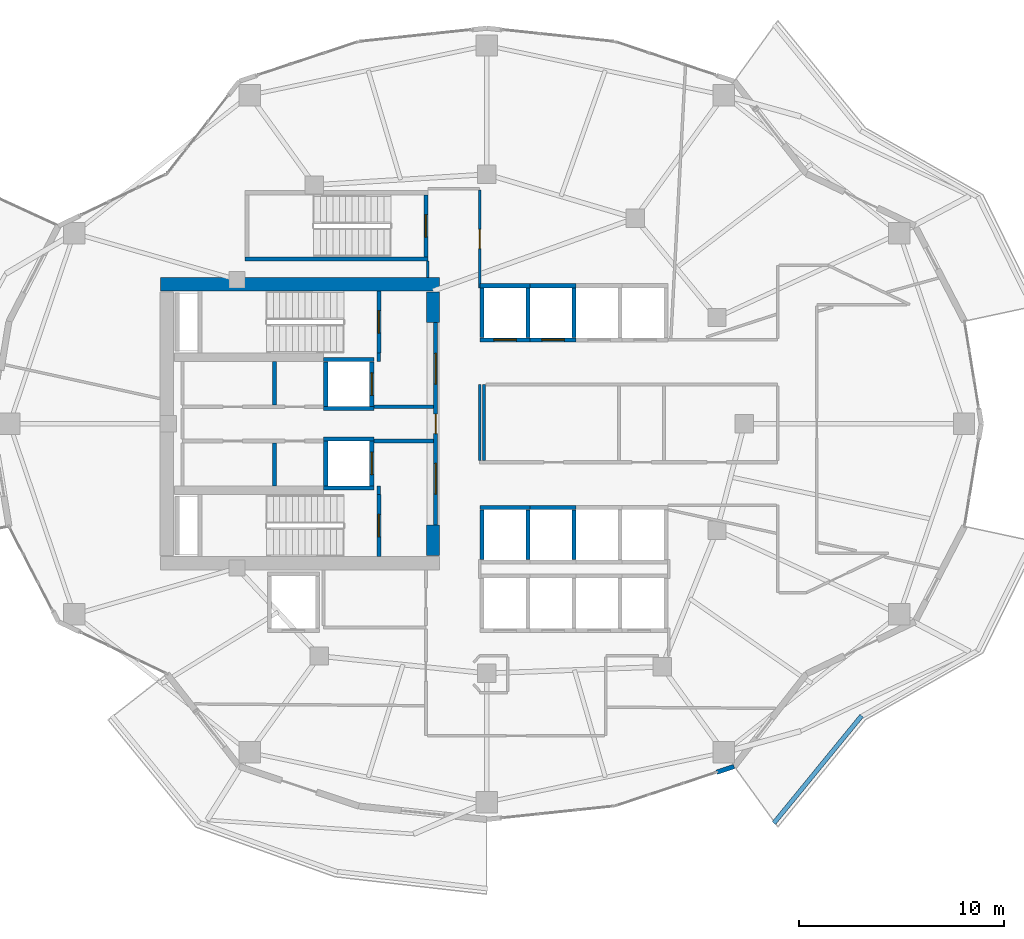
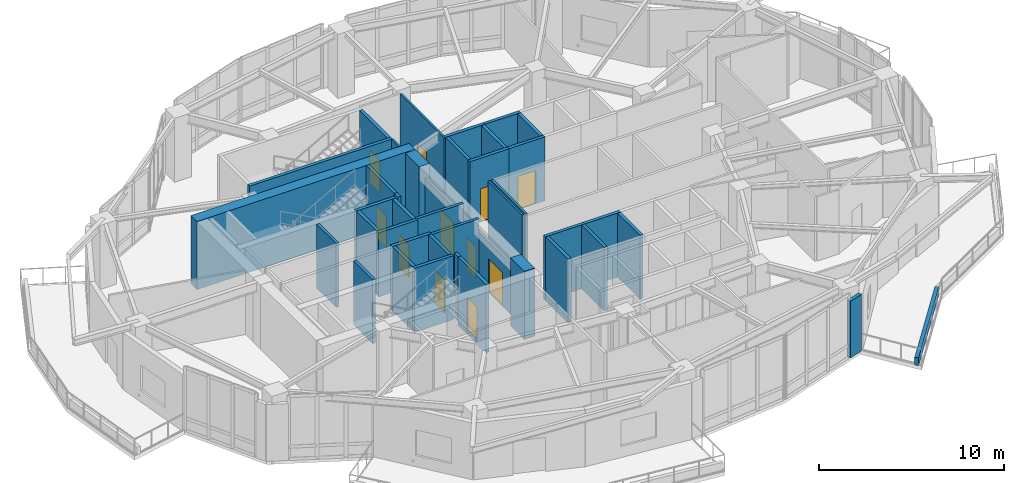
# One storey, part 11 of 16: 40 walls, 11 doors, 11 openings.
"""IFC4 building model written with IfcOpenShell, lengths in metres."""

from ifc_helpers import new_model, si_unit, direction, frame, frame_2d, origin, place, context, subcontext, project, spatial, rectangle, extrude, material, layer, layer_set, type_object, element, fill, save


model = new_model("IFC4")

# Units and contexts
model_context = context("Model", 3, precision=1e-05, world=origin(), true_north=direction((0.0, 1.0)))
body_context = subcontext(model_context, "Body", "Model", "MODEL_VIEW")
ifc_project = project(units=[si_unit("LENGTHUNIT", "METRE"), si_unit("AREAUNIT", "SQUARE_METRE"), si_unit("VOLUMEUNIT", "CUBIC_METRE"), si_unit("PLANEANGLEUNIT", "RADIAN"), si_unit("MASSUNIT", "GRAM", prefix="KILO")], contexts=[model_context])

# Site, building, storey
site_placement = place(None, origin())
site = spatial("IfcSite", under=ifc_project, at=site_placement, CompositionType="ELEMENT")
building_placement = place(site_placement, origin())
building = spatial("IfcBuilding", under=site, at=building_placement, Name="Kolvaren Gate Tower and Convention Centre", CompositionType="ELEMENT")
storey_placement = place(building_placement, frame((0.0, 0.0, 100.800048828125)))
storey = spatial("IfcBuildingStorey", under=building, at=storey_placement, Name="L24", CompositionType="ELEMENT", Elevation=100.800048828125)

# Walls
ifc_material_1 = material(Name="Autoclaved Aerated Masonry Blockwork Class 4 (4.0 MPa)", Category="masonry")
ifc_layer_1 = layer(ifc_material_1, 0.179931640625)
ifc_layer_set_1 = layer_set([ifc_layer_1], Name="Autoclaved Aerated Masonry Blockwork Class 4 (4.0 MPa)")
wall_type_1 = type_object("IfcWallType", Name="ARCH-WL-COMP-180", PredefinedType="SOLIDWALL", material=ifc_layer_set_1)
for number, where, z_axis, x_axis, name in (
    (1, (24.85009765625, 23.5400390625, 0.0), (0.0, 0.0, 1.0), (0.0, 1.0, 0.0), "Interior Partition WL-L24-INT-001"),
    (2, (24.85009765625, 30.0400390625, 0.0), (0.0, 0.0, 1.0), (0.0, 1.0, 0.0), "Interior Partition WL-L24-INT-002"),
):
    element("IfcWall", number, at=place(storey_placement, frame(where, z_axis=z_axis, x_axis=x_axis)), inside=storey, type_object=wall_type_1, Name=name, PredefinedType="SOLIDWALL", context=body_context, shape_type="SweptSolid", body=[
        extrude(rectangle(XDim=0.419921875, YDim=0.179931640625, at=frame_2d((0.2099609375, 0.0))), origin(), (0.0, 0.0, 1.0), 4.22998046875),
    ])

# Wall, openings, doors
wall_1_placement = place(storey_placement, frame((27.6201171875, 22.050048828125, 0.0), z_axis=(0.0, 0.0, 1.0), x_axis=(0.0, 1.0, 0.0)))
wall_1 = element("IfcWall", 3, at=wall_1_placement, inside=storey, type_object=wall_type_1, Name="Interior Partition WL-L24-INT-003", PredefinedType="SOLIDWALL", context=body_context, shape_type="SweptSolid", body=[
    extrude(rectangle(XDim=9.89990234375, YDim=0.179931640625, at=frame_2d((4.949951171875, 0.0))), origin(), (0.0, 0.0, 1.0), 3.322021484375),
])
opening_1_placement = place(wall_1_placement, frame((4.47509765625, 0.0, 0.0)))
opening_1 = element("IfcOpeningElement", 4, at=opening_1_placement, cuts=wall_1, Name="Opening DR-01", PredefinedType="OPENING", context=body_context, shape_type="SweptSolid", body=[
    extrude(rectangle(XDim=0.949951171875, YDim=2.10009765625, at=frame_2d((0.47509765625, 1.050048828125))), frame((0.0, 0.099853515625, 0.0), z_axis=(0.0, -1.0, 0.0), x_axis=(1.0, 0.0, 0.0)), (0.0, 0.0, 1.0), 0.199951171875),
])
opening_2_placement = place(wall_1_placement, frame((6.889892578125, 0.0, 0.0)))
opening_2 = element("IfcOpeningElement", 5, at=opening_2_placement, cuts=wall_1, Name="Opening DL-01", PredefinedType="OPENING", context=body_context, shape_type="SweptSolid", body=[
    extrude(rectangle(XDim=1.5, YDim=2.199951171875, at=frame_2d((0.75, 1.10009765625))), frame((0.0, 0.099853515625, 0.0), z_axis=(0.0, -1.0, 0.0), x_axis=(1.0, 0.0, 0.0)), (0.0, 0.0, 1.0), 0.199951171875),
])
opening_3_placement = place(wall_1_placement, frame((1.510009765625, 0.0, 0.0)))
opening_3 = element("IfcOpeningElement", 6, at=opening_3_placement, cuts=wall_1, Name="Opening DL-01", PredefinedType="OPENING", context=body_context, shape_type="SweptSolid", body=[
    extrude(rectangle(XDim=1.5, YDim=2.199951171875, at=frame_2d((0.75, 1.10009765625))), frame((0.0, 0.099853515625, 0.0), z_axis=(0.0, -1.0, 0.0), x_axis=(1.0, 0.0, 0.0)), (0.0, 0.0, 1.0), 0.199951171875),
])
ifc_material_2 = material(Name="Painted Architectural Steelwork ASTM A500 Grade C 345 MPa", Category="steel")
door_type_1 = type_object("IfcDoorType", Name="ARCH-DR-LOBBY-1500", OperationType="DOUBLE_DOOR_SINGLE_SWING", PredefinedType="DOOR", material=ifc_material_2)
door_1_placement = place(opening_2_placement, origin())
door_1 = element("IfcDoor", 7, at=door_1_placement, inside=storey, type_object=door_type_1, Name="North Firefighting Stair and Lift Lobby Door", OperationType="DOUBLE_DOOR_SINGLE_SWING", OverallHeight=2.199951171875, OverallWidth=1.5, PredefinedType="DOOR", context=body_context, shape_type="SweptSolid", body=[
    extrude(rectangle(XDim=1.5, YDim=2.199951171875, at=frame_2d((0.75, 1.10009765625))), frame((0.0, 0.02490234375, 0.0), z_axis=(0.0, -1.0, 0.0), x_axis=(1.0, 0.0, 0.0)), (0.0, 0.0, 1.0), 0.050048828125),
])
fill(opening_2, door_1)
door_2_placement = place(opening_3_placement, origin())
door_2 = element("IfcDoor", 8, at=door_2_placement, inside=storey, type_object=door_type_1, Name="South Firefighting Stair and Lift Lobby Door", OperationType="DOUBLE_DOOR_SINGLE_SWING", OverallHeight=2.199951171875, OverallWidth=1.5, PredefinedType="DOOR", context=body_context, shape_type="SweptSolid", body=[
    extrude(rectangle(XDim=1.5, YDim=2.199951171875, at=frame_2d((0.75, 1.10009765625))), frame((0.0, 0.02490234375, 0.0), z_axis=(0.0, -1.0, 0.0), x_axis=(1.0, 0.0, 0.0)), (0.0, 0.0, 1.0), 0.050048828125),
])
fill(opening_3, door_2)
door_type_2 = type_object("IfcDoorType", Name="ARCH-DR-RISER-950", OperationType="SINGLE_SWING_RIGHT", PredefinedType="DOOR", material=ifc_material_2)
door_3_placement = place(opening_1_placement, origin())
door_3 = element("IfcDoor", 9, at=door_3_placement, inside=storey, type_object=door_type_2, Name="Central MEP Service Corridor Door", OperationType="SINGLE_SWING_LEFT", OverallHeight=2.10009765625, OverallWidth=0.949951171875, PredefinedType="DOOR", context=body_context, shape_type="SweptSolid", body=[
    extrude(rectangle(XDim=0.949951171875, YDim=2.10009765625, at=frame_2d((0.47509765625, 1.050048828125))), frame((0.0, 0.02490234375, 0.0), z_axis=(0.0, -1.0, 0.0), x_axis=(1.0, 0.0, 0.0)), (0.0, 0.0, 1.0), 0.050048828125),
])
fill(opening_1, door_3)

# Walls
for number, where, z_axis, x_axis, name in (
    (10, (24.60009765625, 27.840087890625, 0.0), (0.0, 0.0, 1.0), (1.0, 0.0, 0.0), "Interior Partition WL-L24-INT-004 (2)"),
    (11, (24.60009765625, 26.159912109375, 0.0), (0.0, 0.0, 1.0), (1.0, 0.0, 0.0), "Interior Partition WL-L24-INT-005 (2)"),
):
    element("IfcWall", number, at=place(storey_placement, frame(where, z_axis=z_axis, x_axis=x_axis)), inside=storey, type_object=wall_type_1, Name=name, PredefinedType="SOLIDWALL", context=body_context, shape_type="SweptSolid", body=[
        extrude(rectangle(XDim=2.927978515625, YDim=0.179931640625, at=frame_2d((1.4638671875, 0.0))), origin(), (0.0, 0.0, 1.0), 4.22998046875),
    ])
for number, where, z_axis, x_axis, name in (
    (12, (19.75, 23.9619140625, 0.0), (0.0, 0.0, 1.0), (0.0, 1.0, 0.0), "Interior Partition WL-L24-INT-007"),
    (13, (19.75, 27.931884765625, 0.0), (0.0, 0.0, 1.0), (0.0, 1.0, 0.0), "Interior Partition WL-L24-INT-008"),
):
    element("IfcWall", number, at=place(storey_placement, frame(where, z_axis=z_axis, x_axis=x_axis)), inside=storey, type_object=wall_type_1, Name=name, PredefinedType="SOLIDWALL", context=body_context, shape_type="SweptSolid", body=[
        extrude(rectangle(XDim=2.106201171875, YDim=0.179931640625, at=frame_2d((1.05322265625, 0.0))), origin(), (0.0, 0.0, 1.0), 4.22998046875),
    ])
ifc_material_3 = material(Name="Fire-Rated Acoustic Gypsum Stud Partition", Category="gypsum")
ifc_layer_2 = layer(ifc_material_3, 0.1201171875)
ifc_layer_set_2 = layer_set([ifc_layer_2], Name="Fire-Rated Acoustic Gypsum Stud Partition")
wall_type_2 = type_object("IfcWallType", Name="ARCH-WL-PART-120", PredefinedType="PARTITIONING", material=ifc_layer_set_2)
wall_2_placement = place(storey_placement, frame((27.25, 34.152099609375, 0.0), z_axis=(0.0, 0.0, 1.0), x_axis=(0.0, 1.0, 0.0)))
element("IfcWall", 14, at=wall_2_placement, inside=storey, type_object=wall_type_2, Name="Interior Partition WL-L24-INT-021", PredefinedType="PARTITIONING", context=body_context, shape_type="SweptSolid", body=[
    extrude(rectangle(XDim=0.805908203125, YDim=0.1201171875, at=frame_2d((0.40283203125, 0.0))), origin(), (0.0, 0.0, 1.0), 4.22998046875),
])
wall_3_placement = place(storey_placement, frame((29.780029296875, 25.197021484375, 0.0), z_axis=(0.0, 0.0, 1.0), x_axis=(0.0, 1.0, 0.0)))
element("IfcWall", 15, at=wall_3_placement, inside=storey, type_object=wall_type_2, Name="Interior Partition WL-L24-INT-024", PredefinedType="PARTITIONING", context=body_context, shape_type="SweptSolid", body=[
    extrude(rectangle(XDim=3.722900390625, YDim=0.1201171875, at=frame_2d((1.861328125, 0.0))), origin(), (0.0, 0.0, 1.0), 4.22998046875),
])

# Wall, opening, door
wall_4_placement = place(storey_placement, frame((29.780029296875, 33.639892578125, 0.0), z_axis=(0.0, 0.0, 1.0), x_axis=(0.0, 1.0, 0.0)))
wall_4 = element("IfcWall", 16, at=wall_4_placement, inside=storey, type_object=wall_type_2, Name="Interior Partition WL-L24-INT-025", PredefinedType="PARTITIONING", context=body_context, shape_type="SweptSolid", body=[
    extrude(rectangle(XDim=4.798095703125, YDim=0.1201171875, at=frame_2d((2.39892578125, 0.0))), origin(), (0.0, 0.0, 1.0), 4.22998046875),
])
opening_4_placement = place(wall_4_placement, frame((1.924072265625, 0.0, 0.0)))
opening_4 = element("IfcOpeningElement", 17, at=opening_4_placement, cuts=wall_4, Name="Opening DR-01", PredefinedType="OPENING", context=body_context, shape_type="SweptSolid", body=[
    extrude(rectangle(XDim=0.949951171875, YDim=2.10009765625, at=frame_2d((0.47509765625, 1.050048828125))), frame((0.0, 0.070068359375, 0.0), z_axis=(0.0, -1.0, 0.0), x_axis=(1.0, 0.0, 0.0)), (0.0, 0.0, 1.0), 0.14013671875),
])
door_4_placement = place(opening_4_placement, origin())
door_4 = element("IfcDoor", 18, at=door_4_placement, inside=storey, type_object=door_type_2, Name="Sky Lobby Lounge and Bistro Cafe Door", OperationType="SINGLE_SWING_LEFT", OverallHeight=2.10009765625, OverallWidth=0.949951171875, PredefinedType="DOOR", context=body_context, shape_type="SweptSolid", body=[
    extrude(rectangle(XDim=0.949951171875, YDim=2.10009765625, at=frame_2d((0.47509765625, 1.050048828125))), frame((0.0, 0.02490234375, 0.0), z_axis=(0.0, -1.0, 0.0), x_axis=(1.0, 0.0, 0.0)), (0.0, 0.0, 1.0), 0.050048828125),
])
fill(opening_4, door_4)

# Walls
ifc_material_4 = material(Name="Bogota Sabana Bush-Hammered Sandstone Cladding", Category="masonry")
ifc_layer_3 = layer(ifc_material_4, 0.219970703125)
ifc_layer_set_3 = layer_set([ifc_layer_3], Name="Bogota Sabana Bush-Hammered Sandstone Cladding")
wall_type_3 = type_object("IfcWallType", Name="ARCH-WL-PIER-220", PredefinedType="SOLIDWALL", material=ifc_layer_set_3)
wall_5_placement = place(storey_placement, frame((41.36865234375, 9.960693359375, 0.0), z_axis=(0.0, 0.0, 1.0), x_axis=(0.949227107477, 0.314591637573, 0.0)))
element("IfcWall", 19, at=wall_5_placement, inside=storey, type_object=wall_type_3, Name="L24 Panoramic Structural Curtain Wall CW-19 Right Column Pier Wrap", PredefinedType="SOLIDWALL", context=body_context, shape_type="SweptSolid", body=[
    extrude(rectangle(XDim=0.8955078125, YDim=0.219970703125, at=frame_2d((0.44775390625, 0.0))), origin(), (0.0, 0.0, 1.0), 3.7529296875),
])
ifc_material_5 = material(Name="Piedmont Cream Honed Limestone Cladding", Category="masonry")
ifc_layer_4 = layer(ifc_material_5, 0.219970703125)
ifc_layer_set_4 = layer_set([ifc_layer_4], Name="Piedmont Cream Honed Limestone Cladding")
wall_type_4 = type_object("IfcWallType", Name="ARCH-WL-PLANTER-220", PredefinedType="PARAPET", material=ifc_layer_set_4)
wall_6_placement = place(storey_placement, frame((44.1669921875, 7.476806640625, 0.0), z_axis=(0.0, 0.0, 1.0), x_axis=(0.633002467947, 0.77414977593, 0.0)))
element("IfcWall", 20, at=wall_6_placement, inside=storey, type_object=wall_type_4, Name="Vertical-Forest Balcony Stone Planter Kerb PK-L24-4.1", PredefinedType="PARAPET", context=body_context, shape_type="SweptSolid", body=[
    extrude(rectangle(XDim=6.7802734375, YDim=0.219970703125, at=frame_2d((3.39013671875, 0.0))), origin(), (0.0, 0.0, 1.0), 0.52001953125),
])
ifc_layer_5 = layer(ifc_material_1, 0.199951171875)
ifc_layer_set_5 = layer_set([ifc_layer_5], Name="Autoclaved Aerated Masonry Blockwork Class 4 (4.0 MPa)")
wall_type_5 = type_object("IfcWallType", Name="ARCH-WL-SHAFT-200", PredefinedType="SOLIDWALL", material=ifc_layer_set_5)
for number, where, z_axis, x_axis, name in (
    (21, (22.14990234375, 30.139892578125, 0.0), (0.0, 0.0, 1.0), (1.0, 0.0, 0.0), "Elevator FF-01 L24 Fire Shaft Wall N"),
    (22, (22.14990234375, 27.739990234375, 0.0), (0.0, 0.0, 1.0), (1.0, 0.0, 0.0), "Elevator FF-01 L24 Fire Shaft Wall S"),
):
    element("IfcWall", number, at=place(storey_placement, frame(where, z_axis=z_axis, x_axis=x_axis)), inside=storey, type_object=wall_type_5, Name=name, PredefinedType="SOLIDWALL", context=body_context, shape_type="SweptSolid", body=[
        extrude(rectangle(XDim=2.4501953125, YDim=0.199951171875, at=frame_2d((1.22509765625, 0.0))), origin(), (0.0, 0.0, 1.0), 4.22998046875),
    ])
wall_7_placement = place(storey_placement, frame((22.25, 27.85009765625, 0.0), z_axis=(0.0, 0.0, 1.0), x_axis=(0.0, 1.0, 0.0)))
element("IfcWall", 23, at=wall_7_placement, inside=storey, type_object=wall_type_5, Name="Elevator FF-01 L24 Fire Shaft Wall W", PredefinedType="SOLIDWALL", context=body_context, shape_type="SweptSolid", body=[
    extrude(rectangle(XDim=2.179931640625, YDim=0.199951171875, at=frame_2d((1.08984375, 0.0))), origin(), (0.0, 0.0, 1.0), 4.22998046875),
])

# Wall, opening, door
wall_8_placement = place(storey_placement, frame((24.5, 27.85009765625, 0.0), z_axis=(0.0, 0.0, 1.0), x_axis=(0.0, 1.0, 0.0)))
wall_8 = element("IfcWall", 24, at=wall_8_placement, inside=storey, type_object=wall_type_5, Name="Elevator FF-01 L24 Fire Shaft Wall E", PredefinedType="SOLIDWALL", context=body_context, shape_type="SweptSolid", body=[
    extrude(rectangle(XDim=2.179931640625, YDim=0.199951171875, at=frame_2d((1.08984375, 0.0))), origin(), (0.0, 0.0, 1.0), 4.22998046875),
])
opening_5_placement = place(wall_8_placement, frame((0.5400390625, 0.0, 0.0)))
opening_5 = element("IfcOpeningElement", 25, at=opening_5_placement, cuts=wall_8, Name="Opening LD", PredefinedType="OPENING", context=body_context, shape_type="SweptSolid", body=[
    extrude(rectangle(XDim=1.10009765625, YDim=2.199951171875, at=frame_2d((0.550048828125, 1.10009765625))), frame((0.0, 0.10986328125, 0.0), z_axis=(0.0, -1.0, 0.0), x_axis=(1.0, 0.0, 0.0)), (0.0, 0.0, 1.0), 0.219970703125),
])
ifc_material_6 = material(Name="Brushed Stainless Steel Grade 316L", Category="steel")
door_type_3 = type_object("IfcDoorType", Name="ARCH-DR-LIFT-1100", OperationType="SLIDING_TO_LEFT", PredefinedType="DOOR", material=ifc_material_6)
door_5_placement = place(opening_5_placement, origin())
door_5 = element("IfcDoor", 26, at=door_5_placement, inside=storey, type_object=door_type_3, Name="Elevator FF-01 L24 Sliding Landing Door", OperationType="SLIDING_TO_LEFT", OverallHeight=2.199951171875, OverallWidth=1.10009765625, PredefinedType="DOOR", context=body_context, shape_type="SweptSolid", body=[
    extrude(rectangle(XDim=1.10009765625, YDim=2.199951171875, at=frame_2d((0.550048828125, 1.10009765625))), frame((0.0, 0.02490234375, 0.0), z_axis=(0.0, -1.0, 0.0), x_axis=(1.0, 0.0, 0.0)), (0.0, 0.0, 1.0), 0.050048828125),
])
fill(opening_5, door_5)

# Walls
for number, where, z_axis, x_axis, name in (
    (27, (22.14990234375, 26.260009765625, 0.0), (0.0, 0.0, 1.0), (1.0, 0.0, 0.0), "Elevator FF-02 L24 Fire Shaft Wall N"),
    (28, (22.14990234375, 23.860107421875, 0.0), (0.0, 0.0, 1.0), (1.0, 0.0, 0.0), "Elevator FF-02 L24 Fire Shaft Wall S"),
):
    element("IfcWall", number, at=place(storey_placement, frame(where, z_axis=z_axis, x_axis=x_axis)), inside=storey, type_object=wall_type_5, Name=name, PredefinedType="SOLIDWALL", context=body_context, shape_type="SweptSolid", body=[
        extrude(rectangle(XDim=2.4501953125, YDim=0.199951171875, at=frame_2d((1.22509765625, 0.0))), origin(), (0.0, 0.0, 1.0), 4.22998046875),
    ])
wall_9_placement = place(storey_placement, frame((22.25, 23.969970703125, 0.0), z_axis=(0.0, 0.0, 1.0), x_axis=(0.0, 1.0, 0.0)))
element("IfcWall", 29, at=wall_9_placement, inside=storey, type_object=wall_type_5, Name="Elevator FF-02 L24 Fire Shaft Wall W", PredefinedType="SOLIDWALL", context=body_context, shape_type="SweptSolid", body=[
    extrude(rectangle(XDim=2.179931640625, YDim=0.199951171875, at=frame_2d((1.08984375, 0.0))), origin(), (0.0, 0.0, 1.0), 4.22998046875),
])

# Wall, opening, door
wall_10_placement = place(storey_placement, frame((24.5, 23.969970703125, 0.0), z_axis=(0.0, 0.0, 1.0), x_axis=(0.0, 1.0, 0.0)))
wall_10 = element("IfcWall", 30, at=wall_10_placement, inside=storey, type_object=wall_type_5, Name="Elevator FF-02 L24 Fire Shaft Wall E", PredefinedType="SOLIDWALL", context=body_context, shape_type="SweptSolid", body=[
    extrude(rectangle(XDim=2.179931640625, YDim=0.199951171875, at=frame_2d((1.08984375, 0.0))), origin(), (0.0, 0.0, 1.0), 4.22998046875),
])
opening_6_placement = place(wall_10_placement, frame((0.5400390625, 0.0, 0.0)))
opening_6 = element("IfcOpeningElement", 31, at=opening_6_placement, cuts=wall_10, Name="Opening LD", PredefinedType="OPENING", context=body_context, shape_type="SweptSolid", body=[
    extrude(rectangle(XDim=1.10009765625, YDim=2.199951171875, at=frame_2d((0.550048828125, 1.10009765625))), frame((0.0, 0.10986328125, 0.0), z_axis=(0.0, -1.0, 0.0), x_axis=(1.0, 0.0, 0.0)), (0.0, 0.0, 1.0), 0.219970703125),
])
door_6_placement = place(opening_6_placement, origin())
door_6 = element("IfcDoor", 32, at=door_6_placement, inside=storey, type_object=door_type_3, Name="Elevator FF-02 L24 Sliding Landing Door", OperationType="SLIDING_TO_LEFT", OverallHeight=2.199951171875, OverallWidth=1.10009765625, PredefinedType="DOOR", context=body_context, shape_type="SweptSolid", body=[
    extrude(rectangle(XDim=1.10009765625, YDim=2.199951171875, at=frame_2d((0.550048828125, 1.10009765625))), frame((0.0, 0.02490234375, 0.0), z_axis=(0.0, -1.0, 0.0), x_axis=(1.0, 0.0, 0.0)), (0.0, 0.0, 1.0), 0.050048828125),
])
fill(opening_6, door_6)

# Wall
wall_11_placement = place(storey_placement, frame((29.800048828125, 33.75, 0.0), z_axis=(0.0, 0.0, 1.0), x_axis=(1.0, 0.0, 0.0)))
element("IfcWall", 33, at=wall_11_placement, inside=storey, type_object=wall_type_5, Name="Elevator PL-01 L24 Fire Shaft Wall N", PredefinedType="SOLIDWALL", context=body_context, shape_type="SweptSolid", body=[
    extrude(rectangle(XDim=2.449951171875, YDim=0.199951171875, at=frame_2d((1.22509765625, 0.0))), origin(), (0.0, 0.0, 1.0), 4.22998046875),
])

# Wall, opening, door
wall_12_placement = place(storey_placement, frame((29.800048828125, 31.10009765625, 0.0), z_axis=(0.0, 0.0, 1.0), x_axis=(1.0, 0.0, 0.0)))
wall_12 = element("IfcWall", 34, at=wall_12_placement, inside=storey, type_object=wall_type_5, Name="Elevator PL-01 L24 Fire Shaft Wall S", PredefinedType="SOLIDWALL", context=body_context, shape_type="SweptSolid", body=[
    extrude(rectangle(XDim=2.449951171875, YDim=0.199951171875, at=frame_2d((1.22509765625, 0.0))), origin(), (0.0, 0.0, 1.0), 4.22998046875),
])
opening_7_placement = place(wall_12_placement, frame((0.675048828125, 0.0, 0.0)))
opening_7 = element("IfcOpeningElement", 35, at=opening_7_placement, cuts=wall_12, Name="Opening LD", PredefinedType="OPENING", context=body_context, shape_type="SweptSolid", body=[
    extrude(rectangle(XDim=1.10009765625, YDim=2.199951171875, at=frame_2d((0.550048828125, 1.10009765625))), frame((0.0, 0.10986328125, 0.0), z_axis=(0.0, -1.0, 0.0), x_axis=(1.0, 0.0, 0.0)), (0.0, 0.0, 1.0), 0.219970703125),
])
door_7_placement = place(opening_7_placement, origin())
door_7 = element("IfcDoor", 36, at=door_7_placement, inside=storey, type_object=door_type_3, Name="Elevator PL-01 L24 Sliding Landing Door", OperationType="SLIDING_TO_LEFT", OverallHeight=2.199951171875, OverallWidth=1.10009765625, PredefinedType="DOOR", context=body_context, shape_type="SweptSolid", body=[
    extrude(rectangle(XDim=1.10009765625, YDim=2.199951171875, at=frame_2d((0.550048828125, 1.10009765625))), frame((0.0, 0.02490234375, 0.0), z_axis=(0.0, -1.0, 0.0), x_axis=(1.0, 0.0, 0.0)), (0.0, 0.0, 1.0), 0.050048828125),
])
fill(opening_7, door_7)

# Walls
for number, where, z_axis, x_axis, name in (
    (37, (29.89990234375, 31.2099609375, 0.0), (0.0, 0.0, 1.0), (0.0, 1.0, 0.0), "Elevator PL-01 L24 Fire Shaft Wall W"),
    (38, (32.14990234375, 31.2099609375, 0.0), (0.0, 0.0, 1.0), (0.0, 1.0, 0.0), "Elevator PL-01 L24 Fire Shaft Wall E"),
):
    element("IfcWall", number, at=place(storey_placement, frame(where, z_axis=z_axis, x_axis=x_axis)), inside=storey, type_object=wall_type_5, Name=name, PredefinedType="SOLIDWALL", context=body_context, shape_type="SweptSolid", body=[
        extrude(rectangle(XDim=2.429931640625, YDim=0.199951171875, at=frame_2d((1.21484375, 0.0))), origin(), (0.0, 0.0, 1.0), 4.22998046875),
    ])
wall_13_placement = place(storey_placement, frame((32.25, 33.75, 0.0), z_axis=(0.0, 0.0, 1.0), x_axis=(1.0, 0.0, 0.0)))
element("IfcWall", 39, at=wall_13_placement, inside=storey, type_object=wall_type_5, Name="Elevator PL-02 L24 Fire Shaft Wall N", PredefinedType="SOLIDWALL", context=body_context, shape_type="SweptSolid", body=[
    extrude(rectangle(XDim=2.25, YDim=0.199951171875, at=frame_2d((1.125, 0.0))), origin(), (0.0, 0.0, 1.0), 4.22998046875),
])

# Wall, opening, door
wall_14_placement = place(storey_placement, frame((32.25, 31.10009765625, 0.0), z_axis=(0.0, 0.0, 1.0), x_axis=(1.0, 0.0, 0.0)))
wall_14 = element("IfcWall", 40, at=wall_14_placement, inside=storey, type_object=wall_type_5, Name="Elevator PL-02 L24 Fire Shaft Wall S", PredefinedType="SOLIDWALL", context=body_context, shape_type="SweptSolid", body=[
    extrude(rectangle(XDim=2.25, YDim=0.199951171875, at=frame_2d((1.125, 0.0))), origin(), (0.0, 0.0, 1.0), 4.22998046875),
])
opening_8_placement = place(wall_14_placement, frame((0.574951171875, 0.0, 0.0)))
opening_8 = element("IfcOpeningElement", 41, at=opening_8_placement, cuts=wall_14, Name="Opening LD", PredefinedType="OPENING", context=body_context, shape_type="SweptSolid", body=[
    extrude(rectangle(XDim=1.10009765625, YDim=2.199951171875, at=frame_2d((0.550048828125, 1.10009765625))), frame((0.0, 0.10986328125, 0.0), z_axis=(0.0, -1.0, 0.0), x_axis=(1.0, 0.0, 0.0)), (0.0, 0.0, 1.0), 0.219970703125),
])
door_8_placement = place(opening_8_placement, origin())
door_8 = element("IfcDoor", 42, at=door_8_placement, inside=storey, type_object=door_type_3, Name="Elevator PL-02 L24 Sliding Landing Door", OperationType="SLIDING_TO_LEFT", OverallHeight=2.199951171875, OverallWidth=1.10009765625, PredefinedType="DOOR", context=body_context, shape_type="SweptSolid", body=[
    extrude(rectangle(XDim=1.10009765625, YDim=2.199951171875, at=frame_2d((0.550048828125, 1.10009765625))), frame((0.0, 0.02490234375, 0.0), z_axis=(0.0, -1.0, 0.0), x_axis=(1.0, 0.0, 0.0)), (0.0, 0.0, 1.0), 0.050048828125),
])
fill(opening_8, door_8)

# Walls
wall_15_placement = place(storey_placement, frame((34.39990234375, 31.2099609375, 0.0), z_axis=(0.0, 0.0, 1.0), x_axis=(0.0, 1.0, 0.0)))
element("IfcWall", 43, at=wall_15_placement, inside=storey, type_object=wall_type_5, Name="Elevator PL-02 L24 Fire Shaft Wall E", PredefinedType="SOLIDWALL", context=body_context, shape_type="SweptSolid", body=[
    extrude(rectangle(XDim=2.429931640625, YDim=0.199951171875, at=frame_2d((1.21484375, 0.0))), origin(), (0.0, 0.0, 1.0), 4.22998046875),
])
wall_16_placement = place(storey_placement, frame((29.800048828125, 22.89990234375, 0.0), z_axis=(0.0, 0.0, 1.0), x_axis=(1.0, 0.0, 0.0)))
element("IfcWall", 44, at=wall_16_placement, inside=storey, type_object=wall_type_5, Name="Elevator PL-09 L24 Fire Shaft Wall N", PredefinedType="SOLIDWALL", context=body_context, shape_type="SweptSolid", body=[
    extrude(rectangle(XDim=2.449951171875, YDim=0.199951171875, at=frame_2d((1.22509765625, 0.0))), origin(), (0.0, 0.0, 1.0), 4.22998046875),
])
for number, where, z_axis, x_axis, name in (
    (45, (29.89990234375, 20.360107421875, 0.0), (0.0, 0.0, 1.0), (0.0, 1.0, 0.0), "Elevator PL-09 L24 Fire Shaft Wall W"),
    (46, (32.14990234375, 20.360107421875, 0.0), (0.0, 0.0, 1.0), (0.0, 1.0, 0.0), "Elevator PL-09 L24 Fire Shaft Wall E"),
):
    element("IfcWall", number, at=place(storey_placement, frame(where, z_axis=z_axis, x_axis=x_axis)), inside=storey, type_object=wall_type_5, Name=name, PredefinedType="SOLIDWALL", context=body_context, shape_type="SweptSolid", body=[
        extrude(rectangle(XDim=2.429931640625, YDim=0.199951171875, at=frame_2d((1.21484375, 0.0))), origin(), (0.0, 0.0, 1.0), 4.22998046875),
    ])
wall_17_placement = place(storey_placement, frame((32.25, 22.89990234375, 0.0), z_axis=(0.0, 0.0, 1.0), x_axis=(1.0, 0.0, 0.0)))
element("IfcWall", 47, at=wall_17_placement, inside=storey, type_object=wall_type_5, Name="Elevator PL-10 L24 Fire Shaft Wall N", PredefinedType="SOLIDWALL", context=body_context, shape_type="SweptSolid", body=[
    extrude(rectangle(XDim=2.25, YDim=0.199951171875, at=frame_2d((1.125, 0.0))), origin(), (0.0, 0.0, 1.0), 4.22998046875),
])
wall_18_placement = place(storey_placement, frame((34.39990234375, 20.360107421875, 0.0), z_axis=(0.0, 0.0, 1.0), x_axis=(0.0, 1.0, 0.0)))
element("IfcWall", 48, at=wall_18_placement, inside=storey, type_object=wall_type_5, Name="Elevator PL-10 L24 Fire Shaft Wall E", PredefinedType="SOLIDWALL", context=body_context, shape_type="SweptSolid", body=[
    extrude(rectangle(XDim=2.429931640625, YDim=0.199951171875, at=frame_2d((1.21484375, 0.0))), origin(), (0.0, 0.0, 1.0), 4.22998046875),
])
ifc_material_7 = material(Name="Moisture-Resistant Cement-Board Acoustic Partition", Category="gypsum")
ifc_layer_6 = layer(ifc_material_7, 0.14990234375)
ifc_layer_set_6 = layer_set([ifc_layer_6], Name="Moisture-Resistant Cement-Board Acoustic Partition")
wall_type_6 = type_object("IfcWallType", Name="ARCH-WL-WET-150", PredefinedType="PARTITIONING", material=ifc_layer_set_6)
wall_19_placement = place(storey_placement, frame((30.0, 25.197021484375, 0.0), z_axis=(0.0, 0.0, 1.0), x_axis=(0.0, 1.0, 0.0)))
element("IfcWall", 49, at=wall_19_placement, inside=storey, type_object=wall_type_6, Name="Interior Partition WL-L24-INT-013", PredefinedType="PARTITIONING", context=body_context, shape_type="SweptSolid", body=[
    extrude(rectangle(XDim=3.722900390625, YDim=0.14990234375, at=frame_2d((1.861328125, 0.0))), origin(), (0.0, 0.0, 1.0), 4.22998046875),
])
ifc_material_8 = material(Name="Concrete C60/75", Category="concrete")
ifc_layer_7 = layer(ifc_material_8, 0.64990234375)
ifc_layer_set_7 = layer_set([ifc_layer_7], Name="Concrete C60/75")
wall_type_7 = type_object("IfcWallType", Name="STR-WL-CORE-650", PredefinedType="SHEAR", material=ifc_layer_set_7)
wall_20_placement = place(storey_placement, frame((14.175048828125, 33.824951171875, -0.280029296875), z_axis=(0.0, 0.0, 1.0), x_axis=(1.0, 0.0, 0.0)))
element("IfcWall", 50, at=wall_20_placement, inside=storey, type_object=wall_type_7, Name="Tower L24 Offset Core Shear Wall N", PredefinedType="SHEAR", context=body_context, shape_type="SweptSolid", body=[
    extrude(rectangle(XDim=13.64990234375, YDim=0.64990234375, at=frame_2d((6.824951171875, 0.0))), origin(), (0.0, 0.0, 1.0), 4.510009765625),
])
for number, where, z_axis, x_axis, name in (
    (51, (27.5, 31.949951171875, -0.280029296875), (0.0, 0.0, 1.0), (0.0, 1.0, 0.0), "Tower L24 Offset Core Shear Wall EN"),
    (52, (27.5, 20.550048828125, -0.280029296875), (0.0, 0.0, 1.0), (0.0, 1.0, 0.0), "Tower L24 Offset Core Shear Wall ES"),
):
    element("IfcWall", number, at=place(storey_placement, frame(where, z_axis=z_axis, x_axis=x_axis)), inside=storey, type_object=wall_type_7, Name=name, PredefinedType="SHEAR", context=body_context, shape_type="SweptSolid", body=[
        extrude(rectangle(XDim=1.5, YDim=0.64990234375, at=frame_2d((0.75, 0.0))), origin(), (0.0, 0.0, 1.0), 4.510009765625),
    ])

# Wall, opening, door
ifc_material_9 = material(Name="Concrete C50/60", Category="concrete")
ifc_layer_8 = layer(ifc_material_9, 0.199951171875)
ifc_layer_set_8 = layer_set([ifc_layer_8], Name="Concrete C50/60")
wall_type_8 = type_object("IfcWallType", Name="STR-WL-SHAFT-200", PredefinedType="SHEAR", material=ifc_layer_set_8)
wall_21_placement = place(storey_placement, frame((24.85009765625, 30.4599609375, -0.280029296875), z_axis=(0.0, 0.0, 1.0), x_axis=(0.0, 1.0, 0.0)))
wall_21 = element("IfcWall", 53, at=wall_21_placement, inside=storey, type_object=wall_type_8, Name="Tower North Exit Stair ST-T1 L24 Structural Shear Enclosure Wall NEAR", PredefinedType="SHEAR", context=body_context, shape_type="SweptSolid", body=[
    extrude(rectangle(XDim=3.0380859375, YDim=0.199951171875, at=frame_2d((1.51904296875, 0.0))), origin(), (0.0, 0.0, 1.0), 4.510009765625),
])
opening_9_placement = place(wall_21_placement, frame((0.968994140625, 0.0, 0.280029296875)))
opening_9 = element("IfcOpeningElement", 54, at=opening_9_placement, cuts=wall_21, Name="Opening DS-01", PredefinedType="OPENING", context=body_context, shape_type="SweptSolid", body=[
    extrude(rectangle(XDim=1.10009765625, YDim=2.14990234375, at=frame_2d((0.550048828125, 1.074951171875))), frame((0.0, 0.10986328125, 0.0), z_axis=(0.0, -1.0, 0.0), x_axis=(1.0, 0.0, 0.0)), (0.0, 0.0, 1.0), 0.219970703125),
])
door_type_4 = type_object("IfcDoorType", Name="ARCH-DR-STAIR-1100", OperationType="SINGLE_SWING_LEFT", PredefinedType="DOOR", material=ifc_material_2)
door_9_placement = place(opening_9_placement, origin())
door_9 = element("IfcDoor", 55, at=door_9_placement, inside=storey, type_object=door_type_4, Name="Tower North Exit Stair ST-T1 L24 Fire Exit Stair Door", OperationType="SINGLE_SWING_RIGHT", OverallHeight=2.14990234375, OverallWidth=1.10009765625, PredefinedType="DOOR", context=body_context, shape_type="SweptSolid", body=[
    extrude(rectangle(XDim=1.10009765625, YDim=2.14990234375, at=frame_2d((0.550048828125, 1.074951171875))), frame((0.0, 0.02490234375, 0.0), z_axis=(0.0, -1.0, 0.0), x_axis=(1.0, 0.0, 0.0)), (0.0, 0.0, 1.0), 0.050048828125),
])
fill(opening_9, door_9)

wall_22_placement = place(storey_placement, frame((24.85009765625, 20.501953125, -0.280029296875), z_axis=(0.0, 0.0, 1.0), x_axis=(0.0, 1.0, 0.0)))
wall_22 = element("IfcWall", 56, at=wall_22_placement, inside=storey, type_object=wall_type_8, Name="Tower South Exit Stair ST-T2 L24 Structural Shear Enclosure Wall NEAR", PredefinedType="SHEAR", context=body_context, shape_type="SweptSolid", body=[
    extrude(rectangle(XDim=3.0380859375, YDim=0.199951171875, at=frame_2d((1.51904296875, 0.0))), origin(), (0.0, 0.0, 1.0), 4.510009765625),
])
opening_10_placement = place(wall_22_placement, frame((0.968994140625, 0.0, 0.280029296875)))
opening_10 = element("IfcOpeningElement", 57, at=opening_10_placement, cuts=wall_22, Name="Opening DS-01", PredefinedType="OPENING", context=body_context, shape_type="SweptSolid", body=[
    extrude(rectangle(XDim=1.10009765625, YDim=2.14990234375, at=frame_2d((0.550048828125, 1.074951171875))), frame((0.0, 0.10986328125, 0.0), z_axis=(0.0, -1.0, 0.0), x_axis=(1.0, 0.0, 0.0)), (0.0, 0.0, 1.0), 0.219970703125),
])
door_10_placement = place(opening_10_placement, origin())
door_10 = element("IfcDoor", 58, at=door_10_placement, inside=storey, type_object=door_type_4, Name="Tower South Exit Stair ST-T2 L24 Fire Exit Stair Door", OperationType="SINGLE_SWING_RIGHT", OverallHeight=2.14990234375, OverallWidth=1.10009765625, PredefinedType="DOOR", context=body_context, shape_type="SweptSolid", body=[
    extrude(rectangle(XDim=1.10009765625, YDim=2.14990234375, at=frame_2d((0.550048828125, 1.074951171875))), frame((0.0, 0.02490234375, 0.0), z_axis=(0.0, -1.0, 0.0), x_axis=(1.0, 0.0, 0.0)), (0.0, 0.0, 1.0), 0.050048828125),
])
fill(opening_10, door_10)

wall_23_placement = place(storey_placement, frame((27.14990234375, 35.159912109375, -0.280029296875), z_axis=(0.0, 0.0, 1.0), x_axis=(0.0, 1.0, 0.0)))
wall_23 = element("IfcWall", 59, at=wall_23_placement, inside=storey, type_object=wall_type_8, Name="Tower Mid-Zone Exit Stair ST-T3 L24 Structural Shear Enclosure Wall NEAR", PredefinedType="SHEAR", context=body_context, shape_type="SweptSolid", body=[
    extrude(rectangle(XDim=3.0400390625, YDim=0.199951171875, at=frame_2d((1.52001953125, 0.0))), origin(), (0.0, 0.0, 1.0), 4.510009765625),
])
opening_11_placement = place(wall_23_placement, frame((0.969970703125, 0.0, 0.280029296875)))
opening_11 = element("IfcOpeningElement", 60, at=opening_11_placement, cuts=wall_23, Name="Opening DS-01", PredefinedType="OPENING", context=body_context, shape_type="SweptSolid", body=[
    extrude(rectangle(XDim=1.10009765625, YDim=2.14990234375, at=frame_2d((0.550048828125, 1.074951171875))), frame((0.0, 0.10986328125, 0.0), z_axis=(0.0, -1.0, 0.0), x_axis=(1.0, 0.0, 0.0)), (0.0, 0.0, 1.0), 0.219970703125),
])
door_11_placement = place(opening_11_placement, origin())
door_11 = element("IfcDoor", 61, at=door_11_placement, inside=storey, type_object=door_type_4, Name="Tower Mid-Zone Exit Stair ST-T3 L24 Fire Exit Stair Door", OperationType="SINGLE_SWING_RIGHT", OverallHeight=2.14990234375, OverallWidth=1.10009765625, PredefinedType="DOOR", context=body_context, shape_type="SweptSolid", body=[
    extrude(rectangle(XDim=1.10009765625, YDim=2.14990234375, at=frame_2d((0.550048828125, 1.074951171875))), frame((0.0, 0.02490234375, 0.0), z_axis=(0.0, -1.0, 0.0), x_axis=(1.0, 0.0, 0.0)), (0.0, 0.0, 1.0), 0.050048828125),
])
fill(opening_11, door_11)

# Wall
wall_24_placement = place(storey_placement, frame((18.300048828125, 35.06005859375, -0.280029296875), z_axis=(0.0, 0.0, 1.0), x_axis=(1.0, 0.0, 0.0)))
element("IfcWall", 62, at=wall_24_placement, inside=storey, type_object=wall_type_8, Name="Tower Mid-Zone Exit Stair ST-T3 L24 Structural Shear Enclosure Wall RGHT", PredefinedType="SHEAR", context=body_context, shape_type="SweptSolid", body=[
    extrude(rectangle(XDim=8.949951171875, YDim=0.199951171875, at=frame_2d((4.47509765625, 0.0))), origin(), (0.0, 0.0, 1.0), 4.510009765625),
])

save(model, "model.ifc")
